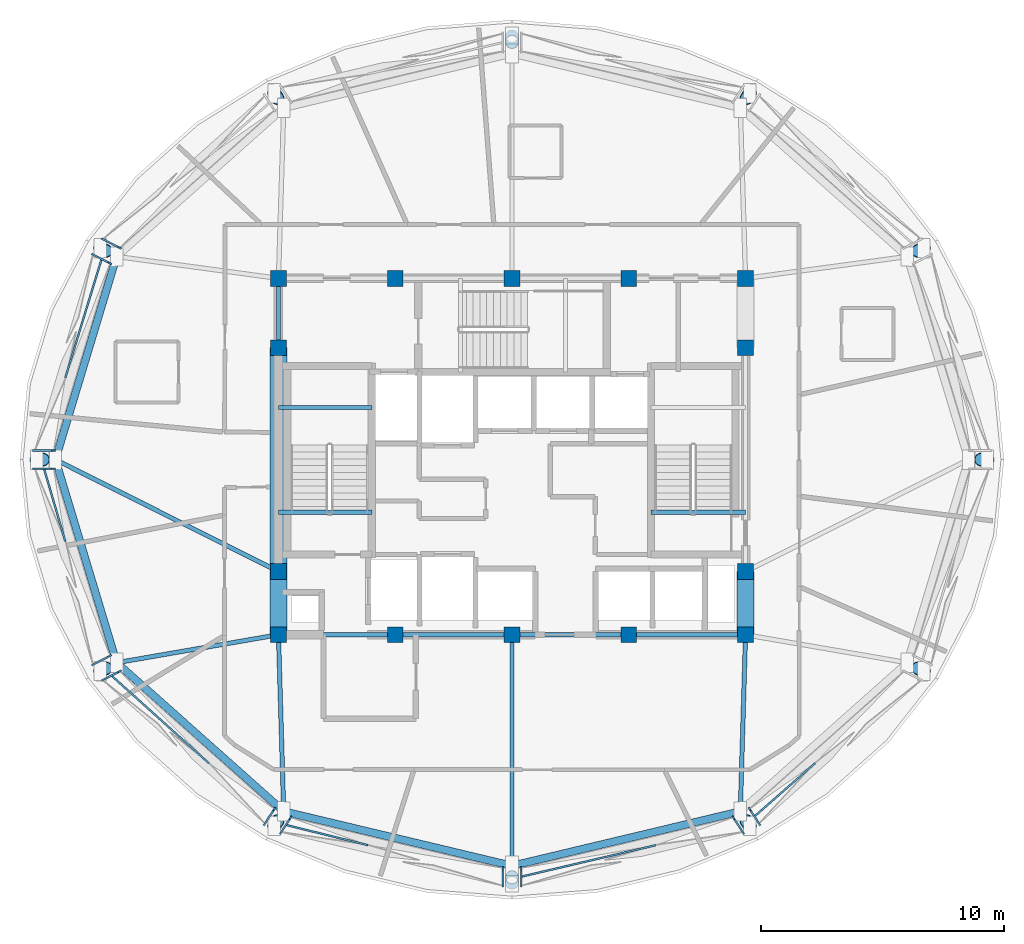
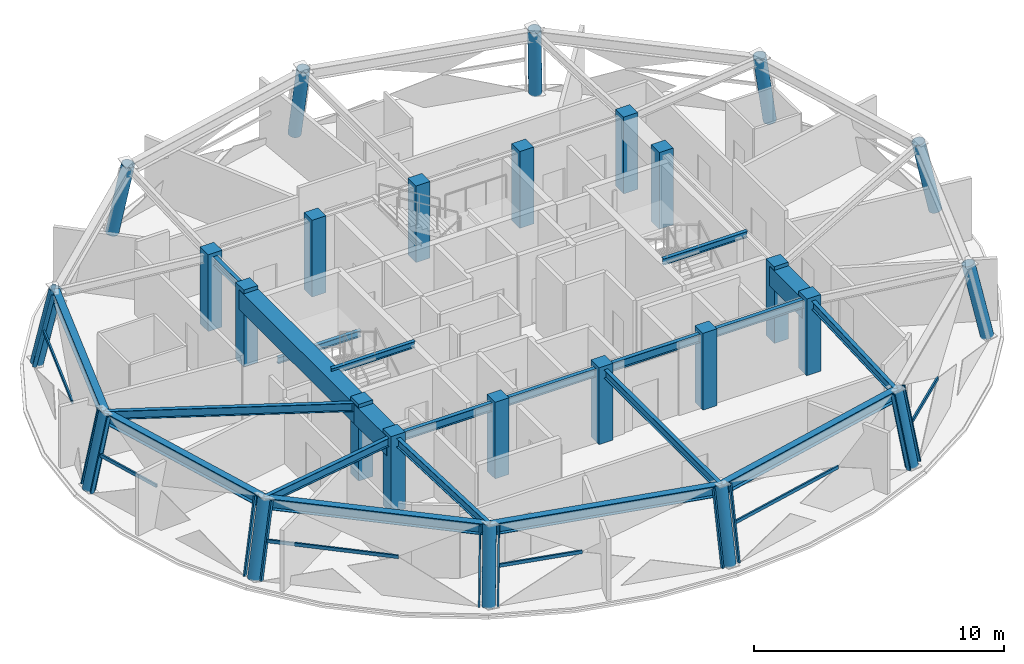
# One storey, part 1 of 11: 26 columns, 21 beams, 18 members, 7 elements without a shape of their own.
"""IFC4 building model written with IfcOpenShell, lengths in metres."""

from ifc_helpers import new_model, si_unit, direction, frame, origin, origin_2d, place, context, subcontext, project, spatial, rectangle, hollow_rectangle, hollow_circle, i_section, extrude, material, layer, layer_set, material_profile, profile_set, type_object, element, aggregate, save


model = new_model("IFC4")

# Units and contexts
model_context = context("Model", 3, precision=1e-05, world=origin(), true_north=direction((0.0, 1.0)))
body_context = subcontext(model_context, "Body", "Model", "MODEL_VIEW")
ifc_project = project(units=[si_unit("LENGTHUNIT", "METRE"), si_unit("AREAUNIT", "SQUARE_METRE"), si_unit("VOLUMEUNIT", "CUBIC_METRE"), si_unit("PLANEANGLEUNIT", "RADIAN"), si_unit("MASSUNIT", "GRAM", prefix="KILO")], contexts=[model_context])

# Site, building, storey
site_placement = place(None, origin())
site = spatial("IfcSite", under=ifc_project, at=site_placement, CompositionType="ELEMENT")
building_placement = place(site_placement, origin())
building = spatial("IfcBuilding", under=site, at=building_placement, Name="Vantalir Tower", CompositionType="ELEMENT")
storey_placement = place(building_placement, frame((0.0, 0.0, 278.85009765625)))
storey = spatial("IfcBuildingStorey", under=building, at=storey_placement, Name="L70", CompositionType="ELEMENT", Elevation=278.85009765625)

# Columns
ifc_material_1 = material(Name="Concrete C50/60", Category="concrete")
ifc_material_profile_1 = material_profile(ifc_material_1, rectangle(XDim=0.64990234375, YDim=0.64990234375, at=origin_2d()), Name="Concrete C50/60")
ifc_profile_set_1 = profile_set([ifc_material_profile_1], Name="Concrete C50/60")
column_type_1 = type_object("IfcColumnType", Name="COL-CC-650", PredefinedType="COLUMN", material=ifc_profile_set_1)
for number, where, z_axis, x_axis, name in (
    (1, (21.89990234375, 17.800048828125, 0.0), (0.0, 0.0, 1.0), (1.0, 0.0, 0.0), "L70 Core Column CC01"),
    (2, (26.699951171875, 17.800048828125, 0.0), (0.0, 0.0, 1.0), (1.0, 0.0, 0.0), "L70 Core Column CC02"),
    (3, (31.5, 17.800048828125, 0.0), (0.0, 0.0, 1.0), (1.0, 0.0, 0.0), "L70 Core Column CC03"),
    (4, (36.300048828125, 17.800048828125, 0.0), (0.0, 0.0, 1.0), (1.0, 0.0, 0.0), "L70 Core Column CC04"),
    (5, (41.10009765625, 17.800048828125, 0.0), (0.0, 0.0, 1.0), (1.0, 0.0, 0.0), "L70 Core Column CC05"),
    (6, (21.89990234375, 20.39990234375, 0.0), (0.0, 0.0, 1.0), (1.0, 0.0, 0.0), "L70 Core Column CC06"),
    (7, (21.89990234375, 29.60009765625, 0.0), (0.0, 0.0, 1.0), (1.0, 0.0, 0.0), "L70 Core Column CC07"),
    (8, (41.10009765625, 20.39990234375, 0.0), (0.0, 0.0, 1.0), (1.0, 0.0, 0.0), "L70 Core Column CC08"),
    (9, (41.10009765625, 29.60009765625, 0.0), (0.0, 0.0, 1.0), (1.0, 0.0, 0.0), "L70 Core Column CC09"),
    (10, (21.89990234375, 32.449951171875, 0.0), (0.0, 0.0, 1.0), (1.0, 0.0, 0.0), "L70 Core Column CC10"),
    (11, (26.699951171875, 32.449951171875, 0.0), (0.0, 0.0, 1.0), (1.0, 0.0, 0.0), "L70 Core Column CC11"),
    (12, (31.5, 32.449951171875, 0.0), (0.0, 0.0, 1.0), (1.0, 0.0, 0.0), "L70 Core Column CC12"),
    (13, (36.300048828125, 32.449951171875, 0.0), (0.0, 0.0, 1.0), (1.0, 0.0, 0.0), "L70 Core Column CC13"),
    (14, (41.10009765625, 32.449951171875, 0.0), (0.0, 0.0, 1.0), (1.0, 0.0, 0.0), "L70 Core Column CC14"),
):
    element("IfcColumn", number, at=place(storey_placement, frame(where, z_axis=z_axis, x_axis=x_axis)), inside=storey, type_object=column_type_1, Name=name, PredefinedType="COLUMN", context=body_context, shape_type="SweptSolid", body=[
        extrude(rectangle(XDim=0.64990234375, YDim=0.64990234375, at=origin_2d()), origin(), (0.0, 0.0, 1.0), 3.75),
    ])
ifc_material_2 = material(Name="Steel S460", Category="steel")
ifc_material_profile_2 = material_profile(ifc_material_2, hollow_circle(Radius=0.27490234375, WallThickness=0.02490234375, at=origin_2d()), Name="Steel S460")
ifc_profile_set_2 = profile_set([ifc_material_profile_2], Name="Steel S460")
column_type_2 = type_object("IfcColumnType", Name="COL-RC-550", PredefinedType="COLUMN", material=ifc_profile_set_2)
column_1_placement = place(storey_placement, frame((51.050048828125, 25.0, 0.0), z_axis=(-0.213469718958, 0.0, 0.97694968094), x_axis=(0.0, -1.0, 0.0)))
element("IfcColumn", 15, at=column_1_placement, inside=storey, type_object=column_type_2, Name="L70 Perimeter Ring Column RC01", PredefinedType="COLUMN", context=body_context, shape_type="SweptSolid", body=[
    extrude(hollow_circle(Radius=0.27490234375, WallThickness=0.02490234375, at=origin_2d()), origin(), (0.0, 0.0, 1.0), 3.654052734375),
])
column_2_placement = place(storey_placement, frame((48.430908203125, 33.697998046875, 0.0), z_axis=(-0.185218066702, -0.09531807333, 0.978063767177), x_axis=(0.457587432232, -0.889164631474, 0.0)))
element("IfcColumn", 16, at=column_2_placement, inside=storey, type_object=column_type_2, Name="L70 Perimeter Ring Column RC02", PredefinedType="COLUMN", context=body_context, shape_type="SweptSolid", body=[
    extrude(hollow_circle(Radius=0.27490234375, WallThickness=0.02490234375, at=origin_2d()), origin(), (0.0, 0.0, 1.0), 3.64990234375),
])
column_3_placement = place(storey_placement, frame((41.27490234375, 40.06494140625, 0.0), z_axis=(-0.107078897733, -0.165345373706, 0.980405537038), x_axis=(0.839360059296, -0.543575837265, 0.0)))
element("IfcColumn", 17, at=column_3_placement, inside=storey, type_object=column_type_2, Name="L70 Perimeter Ring Column RC03", PredefinedType="COLUMN", context=body_context, shape_type="SweptSolid", body=[
    extrude(hollow_circle(Radius=0.27490234375, WallThickness=0.02490234375, at=origin_2d()), origin(), (0.0, 0.0, 1.0), 3.64111328125),
])
column_4_placement = place(storey_placement, frame((31.5, 42.39599609375, 0.0), z_axis=(0.0, -0.191376297921, 0.981516740863), x_axis=(1.0, 0.0, 0.0)))
element("IfcColumn", 18, at=column_4_placement, inside=storey, type_object=column_type_2, Name="L70 Perimeter Ring Column RC04", PredefinedType="COLUMN", context=body_context, shape_type="SweptSolid", body=[
    extrude(hollow_circle(Radius=0.27490234375, WallThickness=0.02490234375, at=origin_2d()), origin(), (0.0, 0.0, 1.0), 3.636962890625),
])
column_5_placement = place(storey_placement, frame((21.72509765625, 40.06494140625, 0.0), z_axis=(0.107078897733, -0.165345373706, 0.980405537038), x_axis=(0.839360059296, 0.543575837265, 0.0)))
element("IfcColumn", 19, at=column_5_placement, inside=storey, type_object=column_type_2, Name="L70 Perimeter Ring Column RC05", PredefinedType="COLUMN", context=body_context, shape_type="SweptSolid", body=[
    extrude(hollow_circle(Radius=0.27490234375, WallThickness=0.02490234375, at=origin_2d()), origin(), (0.0, 0.0, 1.0), 3.64111328125),
])
column_6_placement = place(storey_placement, frame((14.569091796875, 33.697998046875, 0.0), z_axis=(0.185218066702, -0.09531807333, 0.978063767177), x_axis=(0.457587432232, 0.889164631474, 0.0)))
element("IfcColumn", 20, at=column_6_placement, inside=storey, type_object=column_type_2, Name="L70 Perimeter Ring Column RC06", PredefinedType="COLUMN", context=body_context, shape_type="SweptSolid", body=[
    extrude(hollow_circle(Radius=0.27490234375, WallThickness=0.02490234375, at=origin_2d()), origin(), (0.0, 0.0, 1.0), 3.64990234375),
])
column_7_placement = place(storey_placement, frame((11.949951171875, 25.0, 0.0), z_axis=(0.213469718958, 0.0, 0.97694968094), x_axis=(0.0, 1.0, 0.0)))
element("IfcColumn", 21, at=column_7_placement, inside=storey, type_object=column_type_2, Name="L70 Perimeter Ring Column RC07", PredefinedType="COLUMN", context=body_context, shape_type="SweptSolid", body=[
    extrude(hollow_circle(Radius=0.27490234375, WallThickness=0.02490234375, at=origin_2d()), origin(), (0.0, 0.0, 1.0), 3.654052734375),
])
column_8_placement = place(storey_placement, frame((14.569091796875, 16.302001953125, 0.0), z_axis=(0.185218066702, 0.09531807333, 0.978063767177), x_axis=(-0.457587432232, 0.889164631474, 0.0)))
element("IfcColumn", 22, at=column_8_placement, inside=storey, type_object=column_type_2, Name="L70 Perimeter Ring Column RC08", PredefinedType="COLUMN", context=body_context, shape_type="SweptSolid", body=[
    extrude(hollow_circle(Radius=0.27490234375, WallThickness=0.02490234375, at=origin_2d()), origin(), (0.0, 0.0, 1.0), 3.64990234375),
])
column_9_placement = place(storey_placement, frame((21.72509765625, 9.93505859375, 0.0), z_axis=(0.107078897733, 0.165345373706, 0.980405537038), x_axis=(-0.839360059296, 0.543575837265, 0.0)))
element("IfcColumn", 23, at=column_9_placement, inside=storey, type_object=column_type_2, Name="L70 Perimeter Ring Column RC09", PredefinedType="COLUMN", context=body_context, shape_type="SweptSolid", body=[
    extrude(hollow_circle(Radius=0.27490234375, WallThickness=0.02490234375, at=origin_2d()), origin(), (0.0, 0.0, 1.0), 3.64111328125),
])
column_10_placement = place(storey_placement, frame((31.5, 7.60400390625, 0.0), z_axis=(0.0, 0.191376297921, 0.981516740863), x_axis=(-1.0, 0.0, 0.0)))
element("IfcColumn", 24, at=column_10_placement, inside=storey, type_object=column_type_2, Name="L70 Perimeter Ring Column RC10", PredefinedType="COLUMN", context=body_context, shape_type="SweptSolid", body=[
    extrude(hollow_circle(Radius=0.27490234375, WallThickness=0.02490234375, at=origin_2d()), origin(), (0.0, 0.0, 1.0), 3.636962890625),
])
column_11_placement = place(storey_placement, frame((41.27490234375, 9.93505859375, 0.0), z_axis=(-0.107078897733, 0.165345373706, 0.980405537038), x_axis=(-0.839360059296, -0.543575837265, 0.0)))
element("IfcColumn", 25, at=column_11_placement, inside=storey, type_object=column_type_2, Name="L70 Perimeter Ring Column RC11", PredefinedType="COLUMN", context=body_context, shape_type="SweptSolid", body=[
    extrude(hollow_circle(Radius=0.27490234375, WallThickness=0.02490234375, at=origin_2d()), origin(), (0.0, 0.0, 1.0), 3.64111328125),
])
column_12_placement = place(storey_placement, frame((48.430908203125, 16.302001953125, 0.0), z_axis=(-0.185218066702, 0.09531807333, 0.978063767177), x_axis=(-0.457587432232, -0.889164631474, 0.0)))
element("IfcColumn", 26, at=column_12_placement, inside=storey, type_object=column_type_2, Name="L70 Perimeter Ring Column RC12", PredefinedType="COLUMN", context=body_context, shape_type="SweptSolid", body=[
    extrude(hollow_circle(Radius=0.27490234375, WallThickness=0.02490234375, at=origin_2d()), origin(), (0.0, 0.0, 1.0), 3.64990234375),
])

# Beams
ifc_material_3 = material(Name="Concrete C60/75", Category="concrete")
ifc_material_profile_3 = material_profile(ifc_material_3, rectangle(XDim=0.699951171875, YDim=0.949951171875, at=origin_2d()), Name="Concrete C60/75")
ifc_profile_set_3 = profile_set([ifc_material_profile_3], Name="Concrete C60/75")
beam_type_1 = type_object("IfcBeamType", Name="BM-CB-700x950", PredefinedType="USERDEFINED", material=ifc_profile_set_3)
beam_1_placement = place(storey_placement, frame((41.10009765625, 17.800048828125, 3.094970703125), z_axis=(0.0, 1.0, 0.0), x_axis=(-1.0, 0.0, 0.0)))
element("IfcBeam", 27, at=beam_1_placement, inside=storey, type_object=beam_type_1, Name="L70 Core Coupling Girder 05", ObjectType="GIRDER", PredefinedType="USERDEFINED", context=body_context, shape_type="SweptSolid", body=[
    extrude(rectangle(XDim=0.699951171875, YDim=0.949951171875, at=origin_2d()), origin(), (0.0, 0.0, 1.0), 2.599853515625),
])
beam_2_placement = place(storey_placement, frame((21.89990234375, 29.60009765625, 3.094970703125), z_axis=(0.0, -1.0, 0.0), x_axis=(1.0, 0.0, 0.0)))
element("IfcBeam", 28, at=beam_2_placement, inside=storey, type_object=beam_type_1, Name="L70 Core Coupling Girder 13", ObjectType="GIRDER", PredefinedType="USERDEFINED", context=body_context, shape_type="SweptSolid", body=[
    extrude(rectangle(XDim=0.699951171875, YDim=0.949951171875, at=origin_2d()), origin(), (0.0, 0.0, 1.0), 9.2001953125),
])
beam_3_placement = place(storey_placement, frame((21.89990234375, 20.39990234375, 3.094970703125), z_axis=(0.0, -1.0, 0.0), x_axis=(1.0, 0.0, 0.0)))
element("IfcBeam", 29, at=beam_3_placement, inside=storey, type_object=beam_type_1, Name="L70 Core Coupling Girder 14", ObjectType="GIRDER", PredefinedType="USERDEFINED", context=body_context, shape_type="SweptSolid", body=[
    extrude(rectangle(XDim=0.699951171875, YDim=0.949951171875, at=origin_2d()), origin(), (0.0, 0.0, 1.0), 2.599853515625),
])
ifc_material_4 = material(Name="Steel S355", Category="steel")
ifc_material_profile_4 = material_profile(ifc_material_4, i_section(OverallWidth=0.166015625, OverallDepth=0.306884765625, WebThickness=0.006591796875, FlangeThickness=0.01171875, at=origin_2d()), Name="Steel S355")
ifc_profile_set_4 = profile_set([ifc_material_profile_4], Name="Steel S355")
beam_type_2 = type_object("IfcBeamType", Name="BM-JS-305x165", PredefinedType="JOIST", material=ifc_profile_set_4)
for number, where, z_axis, x_axis, name in (
    (30, (21.89990234375, 22.8349609375, 3.595947265625), (1.0, 0.0, 0.0), (0.0, 1.0, 0.0), "L71 Stair ST1 Well Nosing Trimmer Beam"),
    (31, (21.89990234375, 27.14501953125, 1.52099609375), (1.0, 0.0, 0.0), (0.0, 1.0, 0.0), "L70 Stair ST1 Half-Landing Support Beam"),
):
    element("IfcBeam", number, at=place(storey_placement, frame(where, z_axis=z_axis, x_axis=x_axis)), inside=storey, type_object=beam_type_2, Name=name, PredefinedType="JOIST", context=body_context, shape_type="SweptSolid", body=[
        extrude(i_section(OverallWidth=0.166015625, OverallDepth=0.306884765625, WebThickness=0.006591796875, FlangeThickness=0.01171875, at=origin_2d()), origin(), (0.0, 0.0, 1.0), 3.840087890625),
    ])
beam_4_placement = place(storey_placement, frame((37.2099609375, 22.8349609375, 3.595947265625), z_axis=(1.0, 0.0, 0.0), x_axis=(0.0, 1.0, 0.0)))
element("IfcBeam", 32, at=beam_4_placement, inside=storey, type_object=beam_type_2, Name="L71 Stair ST2 Well Nosing Trimmer Beam", PredefinedType="JOIST", context=body_context, shape_type="SweptSolid", body=[
    extrude(i_section(OverallWidth=0.166015625, OverallDepth=0.306884765625, WebThickness=0.006591796875, FlangeThickness=0.01171875, at=origin_2d()), origin(), (0.0, 0.0, 1.0), 3.89013671875),
])
ifc_material_profile_5 = material_profile(ifc_material_4, i_section(OverallWidth=0.179931640625, OverallDepth=0.4130859375, WebThickness=0.009521484375, FlangeThickness=0.01611328125, at=origin_2d()), Name="Steel S355")
ifc_profile_set_5 = profile_set([ifc_material_profile_5], Name="Steel S355")
beam_type_3 = type_object("IfcBeamType", Name="BM-RB-406x178", PredefinedType="BEAM", material=ifc_profile_set_5)
for number, where, z_axis, x_axis, name in (
    (33, (21.89990234375, 17.800048828125, 3.364013671875), (1.0, 0.0, 0.0), (0.0, 1.0, 0.0), "L70 Core Coupling Girder 01"),
    (34, (26.699951171875, 17.800048828125, 3.364013671875), (1.0, 0.0, 0.0), (0.0, 1.0, 0.0), "L70 Core Coupling Girder 02"),
    (35, (31.5, 17.800048828125, 3.364013671875), (1.0, 0.0, 0.0), (0.0, 1.0, 0.0), "L70 Core Coupling Girder 03"),
    (36, (36.300048828125, 17.800048828125, 3.364013671875), (1.0, 0.0, 0.0), (0.0, 1.0, 0.0), "L70 Core Coupling Girder 04"),
):
    element("IfcBeam", number, at=place(storey_placement, frame(where, z_axis=z_axis, x_axis=x_axis)), inside=storey, type_object=beam_type_3, Name=name, PredefinedType="BEAM", context=body_context, shape_type="SweptSolid", body=[
        extrude(i_section(OverallWidth=0.179931640625, OverallDepth=0.4130859375, WebThickness=0.009521484375, FlangeThickness=0.01611328125, at=origin_2d()), origin(), (0.0, 0.0, 1.0), 4.800048828125),
    ])
beam_5_placement = place(storey_placement, frame((21.89990234375, 32.449951171875, 3.364013671875), z_axis=(0.0, -1.0, 0.0), x_axis=(1.0, 0.0, 0.0)))
element("IfcBeam", 37, at=beam_5_placement, inside=storey, type_object=beam_type_3, Name="L70 Core Coupling Girder 12", PredefinedType="BEAM", context=body_context, shape_type="SweptSolid", body=[
    extrude(i_section(OverallWidth=0.179931640625, OverallDepth=0.4130859375, WebThickness=0.009521484375, FlangeThickness=0.01611328125, at=origin_2d()), origin(), (0.0, 0.0, 1.0), 2.849853515625),
])
beam_6_placement = place(storey_placement, frame((12.72998046875, 25.0, 3.364013671875), z_axis=(0.893836232743, -0.448393564892, 0.0), x_axis=(0.448393564892, 0.893836232743, 0.0)))
element("IfcBeam", 38, at=beam_6_placement, inside=storey, type_object=beam_type_3, Name="L70 Radial Floor Beam 07", PredefinedType="BEAM", context=body_context, shape_type="SweptSolid", body=[
    extrude(i_section(OverallWidth=0.179931640625, OverallDepth=0.4130859375, WebThickness=0.009521484375, FlangeThickness=0.01611328125, at=origin_2d()), origin(), (0.0, 0.0, 1.0), 10.259033203125),
])
beam_7_placement = place(storey_placement, frame((15.2451171875, 16.64990234375, 3.364013671875), z_axis=(0.985391365935, 0.170305184714, 0.0), x_axis=(-0.170305184714, 0.985391365935, 0.0)))
element("IfcBeam", 39, at=beam_7_placement, inside=storey, type_object=beam_type_3, Name="L70 Radial Floor Beam 08", PredefinedType="BEAM", context=body_context, shape_type="SweptSolid", body=[
    extrude(i_section(OverallWidth=0.179931640625, OverallDepth=0.4130859375, WebThickness=0.009521484375, FlangeThickness=0.01611328125, at=origin_2d()), origin(), (0.0, 0.0, 1.0), 6.75341796875),
])
beam_8_placement = place(storey_placement, frame((22.114990234375, 10.537109375, 3.364013671875), z_axis=(-0.029601463201, 0.99956178067, 0.0), x_axis=(-0.99956178067, -0.029601463201, 0.0)))
element("IfcBeam", 40, at=beam_8_placement, inside=storey, type_object=beam_type_3, Name="L70 Radial Floor Beam 09", PredefinedType="BEAM", context=body_context, shape_type="SweptSolid", body=[
    extrude(i_section(OverallWidth=0.179931640625, OverallDepth=0.4130859375, WebThickness=0.009521484375, FlangeThickness=0.01611328125, at=origin_2d()), origin(), (0.0, 0.0, 1.0), 7.26611328125),
])
beam_9_placement = place(storey_placement, frame((31.5, 8.300048828125, 3.364013671875), z_axis=(0.0, 1.0, 0.0), x_axis=(-1.0, 0.0, 0.0)))
element("IfcBeam", 41, at=beam_9_placement, inside=storey, type_object=beam_type_3, Name="L70 Radial Floor Beam 10", PredefinedType="BEAM", context=body_context, shape_type="SweptSolid", body=[
    extrude(i_section(OverallWidth=0.179931640625, OverallDepth=0.4130859375, WebThickness=0.009521484375, FlangeThickness=0.01611328125, at=origin_2d()), origin(), (0.0, 0.0, 1.0), 9.5),
])
beam_10_placement = place(storey_placement, frame((40.885009765625, 10.537109375, 3.364013671875), z_axis=(0.029601463201, 0.99956178067, 0.0), x_axis=(-0.99956178067, 0.029601463201, 0.0)))
element("IfcBeam", 42, at=beam_10_placement, inside=storey, type_object=beam_type_3, Name="L70 Radial Floor Beam 11", PredefinedType="BEAM", context=body_context, shape_type="SweptSolid", body=[
    extrude(i_section(OverallWidth=0.179931640625, OverallDepth=0.4130859375, WebThickness=0.009521484375, FlangeThickness=0.01611328125, at=origin_2d()), origin(), (0.0, 0.0, 1.0), 7.26611328125),
])
ifc_material_profile_6 = material_profile(ifc_material_2, i_section(OverallWidth=0.31201171875, OverallDepth=0.5419921875, WebThickness=0.0126953125, FlangeThickness=0.020263671875, at=origin_2d()), Name="Steel S460")
ifc_profile_set_6 = profile_set([ifc_material_profile_6], Name="Steel S460")
beam_type_4 = type_object("IfcBeamType", Name="BM-RG-533x312", PredefinedType="USERDEFINED", material=ifc_profile_set_6)
for number, where, z_axis, x_axis, name in (
    (43, (15.2451171875, 33.35009765625, 3.298828125), (-0.288411028939, -0.957506698873, 0.0), (0.957506698873, -0.288411028939, 0.0), "L70 Circumferential Ring Girder 06"),
    (44, (12.72998046875, 25.0, 3.298828125), (0.288411028939, -0.957506698873, 0.0), (0.957506698873, 0.288411028939, 0.0), "L70 Circumferential Ring Girder 07"),
):
    element("IfcBeam", number, at=place(storey_placement, frame(where, z_axis=z_axis, x_axis=x_axis)), inside=storey, type_object=beam_type_4, Name=name, ObjectType="GIRDER", PredefinedType="USERDEFINED", context=body_context, shape_type="SweptSolid", body=[
        extrude(i_section(OverallWidth=0.31201171875, OverallDepth=0.5419921875, WebThickness=0.0126953125, FlangeThickness=0.020263671875, at=origin_2d()), origin(), (0.0, 0.0, 1.0), 8.720703125),
    ])
beam_11_placement = place(storey_placement, frame((15.2451171875, 16.64990234375, 3.298828125), z_axis=(0.747072320414, -0.664742768348, 0.0), x_axis=(0.664742768348, 0.747072320414, 0.0)))
element("IfcBeam", 45, at=beam_11_placement, inside=storey, type_object=beam_type_4, Name="L70 Circumferential Ring Girder 08", ObjectType="GIRDER", PredefinedType="USERDEFINED", context=body_context, shape_type="SweptSolid", body=[
    extrude(i_section(OverallWidth=0.31201171875, OverallDepth=0.5419921875, WebThickness=0.0126953125, FlangeThickness=0.020263671875, at=origin_2d()), origin(), (0.0, 0.0, 1.0), 9.19580078125),
])
for number, where, z_axis, x_axis, name in (
    (46, (22.114990234375, 10.537109375, 3.298828125), (0.972746993267, -0.23186911629, 0.0), (0.23186911629, 0.972746993267, 0.0), "L70 Circumferential Ring Girder 09"),
    (47, (31.5, 8.300048828125, 3.298828125), (0.972746993267, 0.23186911629, 0.0), (-0.23186911629, 0.972746993267, 0.0), "L70 Circumferential Ring Girder 10"),
):
    element("IfcBeam", number, at=place(storey_placement, frame(where, z_axis=z_axis, x_axis=x_axis)), inside=storey, type_object=beam_type_4, Name=name, ObjectType="GIRDER", PredefinedType="USERDEFINED", context=body_context, shape_type="SweptSolid", body=[
        extrude(i_section(OverallWidth=0.31201171875, OverallDepth=0.5419921875, WebThickness=0.0126953125, FlangeThickness=0.020263671875, at=origin_2d()), origin(), (0.0, 0.0, 1.0), 9.64794921875),
    ])

# Curtain wall, member
ifc_material_5 = material(Name="Champagne-silver PVDF aluminium and double-silver Low-E glass", Category="aluminium")
ifc_layer = layer(ifc_material_5, 0.219970703125)
ifc_layer_set = layer_set([ifc_layer], Name="Champagne-silver PVDF aluminium and double-silver Low-E glass")
curtain_wall_type = type_object("IfcCurtainWallType", Name="CW-DIAMOND-Z4", PredefinedType="USERDEFINED", material=ifc_layer_set)
curtain_wall_1_placement = place(storey_placement, origin())
curtain_wall_1 = element("IfcCurtainWall", 48, at=curtain_wall_1_placement, inside=storey, type_object=curtain_wall_type, Name="L70 Quilted Pyramid-Diamond Curtain Wall S05", ObjectType="UNITISED CURTAIN WALL", PredefinedType="USERDEFINED")
ifc_material_6 = material(Name="Champagne-silver PVDF aluminium 6063-T6", Category="aluminium")
ifc_material_profile_7 = material_profile(ifc_material_6, hollow_rectangle(XDim=0.070068359375, YDim=0.1650390625, WallThickness=0.00390625, at=origin_2d()), Name="Champagne-silver PVDF aluminium 6063-T6")
ifc_profile_set_7 = profile_set([ifc_material_profile_7], Name="Champagne-silver PVDF aluminium 6063-T6")
member_type_1 = type_object("IfcMemberType", Name="CWM-165x70", PredefinedType="MULLION", material=ifc_profile_set_7)
member_1_placement = place(storey_placement, frame((14.696044921875, 34.052001953125, 0.044921875), z_axis=(0.189520369582, -0.09767324653, 0.977006635815), x_axis=(0.458110557784, 0.888895222648, 0.0)))
member_1 = element("IfcMember", 49, at=member_1_placement, type_object=member_type_1, Name="CW-L70-S05 Mullion 2", PredefinedType="MULLION", context=body_context, shape_type="SweptSolid", body=[
    extrude(hollow_rectangle(XDim=0.070068359375, YDim=0.1650390625, WallThickness=0.00390625, at=origin_2d()), origin(), (0.0, 0.0, 1.0), 3.561767578125),
])
aggregate(curtain_wall_1, [member_1])

# Curtain wall, members
curtain_wall_2_placement = place(storey_placement, origin())
curtain_wall_2 = element("IfcCurtainWall", 50, at=curtain_wall_2_placement, inside=storey, type_object=curtain_wall_type, Name="L70 Quilted Pyramid-Diamond Curtain Wall S06", ObjectType="UNITISED CURTAIN WALL", PredefinedType="USERDEFINED")
member_2_placement = place(storey_placement, frame((14.29296875, 33.419921875, 0.044921875), z_axis=(0.189520369582, -0.09767324653, 0.977006635815), x_axis=(0.458110557784, 0.888895222648, 0.0)))
member_2 = element("IfcMember", 51, at=member_2_placement, type_object=member_type_1, Name="CW-L70-S06 Mullion 1", PredefinedType="MULLION", context=body_context, shape_type="SweptSolid", body=[
    extrude(hollow_rectangle(XDim=0.070068359375, YDim=0.1650390625, WallThickness=0.00390625, at=origin_2d()), origin(), (0.0, 0.0, 1.0), 3.561767578125),
])
member_3_placement = place(storey_placement, frame((11.8720703125, 25.373046875, 0.044921875), z_axis=(0.218720447595, 0.0, 0.975787561821), x_axis=(0.0, 1.0, 0.0)))
member_3 = element("IfcMember", 52, at=member_3_placement, type_object=member_type_1, Name="CW-L70-S06 Mullion 2", PredefinedType="MULLION", context=body_context, shape_type="SweptSolid", body=[
    extrude(hollow_rectangle(XDim=0.070068359375, YDim=0.1650390625, WallThickness=0.00390625, at=origin_2d()), origin(), (0.0, 0.0, 1.0), 3.56640625),
])

curtain_wall_3_placement = place(storey_placement, origin())
curtain_wall_3 = element("IfcCurtainWall", 53, at=curtain_wall_3_placement, inside=storey, type_object=curtain_wall_type, Name="L70 Quilted Pyramid-Diamond Curtain Wall S07", ObjectType="UNITISED CURTAIN WALL", PredefinedType="USERDEFINED")
member_4_placement = place(storey_placement, frame((11.8720703125, 24.626953125, 0.044921875), z_axis=(0.218720447595, 0.0, 0.975787561821), x_axis=(0.0, 1.0, 0.0)))
member_4 = element("IfcMember", 54, at=member_4_placement, type_object=member_type_1, Name="CW-L70-S07 Mullion 1", PredefinedType="MULLION", context=body_context, shape_type="SweptSolid", body=[
    extrude(hollow_rectangle(XDim=0.070068359375, YDim=0.1650390625, WallThickness=0.00390625, at=origin_2d()), origin(), (0.0, 0.0, 1.0), 3.56640625),
])
member_5_placement = place(storey_placement, frame((14.29296875, 16.580078125, 0.044921875), z_axis=(0.189520369582, 0.09767324653, 0.977006635815), x_axis=(-0.458110557784, 0.888895222648, 0.0)))
member_5 = element("IfcMember", 55, at=member_5_placement, type_object=member_type_1, Name="CW-L70-S07 Mullion 2", PredefinedType="MULLION", context=body_context, shape_type="SweptSolid", body=[
    extrude(hollow_rectangle(XDim=0.070068359375, YDim=0.1650390625, WallThickness=0.00390625, at=origin_2d()), origin(), (0.0, 0.0, 1.0), 3.561767578125),
])

curtain_wall_4_placement = place(storey_placement, origin())
curtain_wall_4 = element("IfcCurtainWall", 56, at=curtain_wall_4_placement, inside=storey, type_object=curtain_wall_type, Name="L70 Quilted Pyramid-Diamond Curtain Wall S08", ObjectType="UNITISED CURTAIN WALL", PredefinedType="USERDEFINED")
member_6_placement = place(storey_placement, frame((14.696044921875, 15.947998046875, 0.044921875), z_axis=(0.189520369582, 0.09767324653, 0.977006635815), x_axis=(-0.458110557784, 0.888895222648, 0.0)))
member_6 = element("IfcMember", 57, at=member_6_placement, type_object=member_type_1, Name="CW-L70-S08 Mullion 1", PredefinedType="MULLION", context=body_context, shape_type="SweptSolid", body=[
    extrude(hollow_rectangle(XDim=0.070068359375, YDim=0.1650390625, WallThickness=0.00390625, at=origin_2d()), origin(), (0.0, 0.0, 1.0), 3.561767578125),
])
member_7_placement = place(storey_placement, frame((21.339111328125, 10.029052734375, 0.044921875), z_axis=(0.109726976538, 0.169709224828, 0.979366514451), x_axis=(-0.83976165719, 0.542955209123, 0.0)))
member_7 = element("IfcMember", 58, at=member_7_placement, type_object=member_type_1, Name="CW-L70-S08 Mullion 2", PredefinedType="MULLION", context=body_context, shape_type="SweptSolid", body=[
    extrude(hollow_rectangle(XDim=0.070068359375, YDim=0.1650390625, WallThickness=0.00390625, at=origin_2d()), origin(), (0.0, 0.0, 1.0), 3.55322265625),
])

curtain_wall_5_placement = place(storey_placement, origin())
curtain_wall_5 = element("IfcCurtainWall", 59, at=curtain_wall_5_placement, inside=storey, type_object=curtain_wall_type, Name="L70 Quilted Pyramid-Diamond Curtain Wall S09", ObjectType="UNITISED CURTAIN WALL", PredefinedType="USERDEFINED")
member_8_placement = place(storey_placement, frame((22.009033203125, 9.678955078125, 0.044921875), z_axis=(0.109726976538, 0.169709224828, 0.979366514451), x_axis=(-0.83976165719, 0.542955209123, 0.0)))
member_8 = element("IfcMember", 60, at=member_8_placement, type_object=member_type_1, Name="CW-L70-S09 Mullion 1", PredefinedType="MULLION", context=body_context, shape_type="SweptSolid", body=[
    extrude(hollow_rectangle(XDim=0.070068359375, YDim=0.1650390625, WallThickness=0.00390625, at=origin_2d()), origin(), (0.0, 0.0, 1.0), 3.55322265625),
])
member_9_placement = place(storey_placement, frame((31.12109375, 7.5048828125, 0.044921875), z_axis=(0.0, 0.196129364579, 0.98057802971), x_axis=(-1.0, 0.0, 0.0)))
member_9 = element("IfcMember", 61, at=member_9_placement, type_object=member_type_1, Name="CW-L70-S09 Mullion 2", PredefinedType="MULLION", context=body_context, shape_type="SweptSolid", body=[
    extrude(hollow_rectangle(XDim=0.070068359375, YDim=0.1650390625, WallThickness=0.00390625, at=origin_2d()), origin(), (0.0, 0.0, 1.0), 3.548828125),
])

curtain_wall_6_placement = place(storey_placement, origin())
curtain_wall_6 = element("IfcCurtainWall", 62, at=curtain_wall_6_placement, inside=storey, type_object=curtain_wall_type, Name="L70 Quilted Pyramid-Diamond Curtain Wall S10", ObjectType="UNITISED CURTAIN WALL", PredefinedType="USERDEFINED")
member_10_placement = place(storey_placement, frame((31.87890625, 7.5048828125, 0.044921875), z_axis=(0.0, 0.196129364579, 0.98057802971), x_axis=(-1.0, 0.0, 0.0)))
member_10 = element("IfcMember", 63, at=member_10_placement, type_object=member_type_1, Name="CW-L70-S10 Mullion 1", PredefinedType="MULLION", context=body_context, shape_type="SweptSolid", body=[
    extrude(hollow_rectangle(XDim=0.070068359375, YDim=0.1650390625, WallThickness=0.00390625, at=origin_2d()), origin(), (0.0, 0.0, 1.0), 3.548828125),
])
member_11_placement = place(storey_placement, frame((40.990966796875, 9.678955078125, 0.044921875), z_axis=(-0.109726976538, 0.169709224828, 0.979366514451), x_axis=(-0.83976165719, -0.542955209123, 0.0)))
member_11 = element("IfcMember", 64, at=member_11_placement, type_object=member_type_1, Name="CW-L70-S10 Mullion 2", PredefinedType="MULLION", context=body_context, shape_type="SweptSolid", body=[
    extrude(hollow_rectangle(XDim=0.070068359375, YDim=0.1650390625, WallThickness=0.00390625, at=origin_2d()), origin(), (0.0, 0.0, 1.0), 3.55322265625),
])

# Curtain wall, member
curtain_wall_7_placement = place(storey_placement, origin())
curtain_wall_7 = element("IfcCurtainWall", 65, at=curtain_wall_7_placement, inside=storey, type_object=curtain_wall_type, Name="L70 Quilted Pyramid-Diamond Curtain Wall S11", ObjectType="UNITISED CURTAIN WALL", PredefinedType="USERDEFINED")
member_12_placement = place(storey_placement, frame((41.660888671875, 10.029052734375, 0.044921875), z_axis=(-0.109726976538, 0.169709224828, 0.979366514451), x_axis=(-0.83976165719, -0.542955209123, 0.0)))
member_12 = element("IfcMember", 66, at=member_12_placement, type_object=member_type_1, Name="CW-L70-S11 Mullion 1", PredefinedType="MULLION", context=body_context, shape_type="SweptSolid", body=[
    extrude(hollow_rectangle(XDim=0.070068359375, YDim=0.1650390625, WallThickness=0.00390625, at=origin_2d()), origin(), (0.0, 0.0, 1.0), 3.55322265625),
])

# Member
ifc_material_profile_8 = material_profile(ifc_material_6, hollow_rectangle(XDim=0.074951171875, YDim=0.159912109375, WallThickness=0.00390625, at=origin_2d()), Name="Champagne-silver PVDF aluminium 6063-T6")
ifc_profile_set_8 = profile_set([ifc_material_profile_8], Name="Champagne-silver PVDF aluminium 6063-T6")
member_type_2 = type_object("IfcMemberType", Name="CWT-160x75", PredefinedType="USERDEFINED", material=ifc_profile_set_8)
member_13_placement = place(storey_placement, frame((14.6298828125, 33.24609375, 1.784912109375), z_axis=(-0.292346233181, -0.956312543024, 0.0), x_axis=(0.956312543024, -0.292346233181, 0.0)))
member_13 = element("IfcMember", 67, at=member_13_placement, type_object=member_type_2, Name="CW-L70-S06 Pyramid Fold Ridge Transom", ObjectType="TRANSOM", PredefinedType="USERDEFINED", context=body_context, shape_type="SweptSolid", body=[
    extrude(hollow_rectangle(XDim=0.074951171875, YDim=0.159912109375, WallThickness=0.00390625, at=origin_2d()), origin(), (0.0, 0.0, 1.0), 5.10009765625),
])

aggregate(curtain_wall_2, [member_2, member_3, member_13])

member_14_placement = place(storey_placement, frame((12.261962890625, 24.626953125, 1.784912109375), z_axis=(0.280933894461, -0.959727121083, 0.0), x_axis=(0.959727121083, 0.280933894461, 0.0)))
member_14 = element("IfcMember", 68, at=member_14_placement, type_object=member_type_2, Name="CW-L70-S07 Pyramid Fold Ridge Transom", ObjectType="TRANSOM", PredefinedType="USERDEFINED", context=body_context, shape_type="SweptSolid", body=[
    extrude(hollow_rectangle(XDim=0.074951171875, YDim=0.159912109375, WallThickness=0.00390625, at=origin_2d()), origin(), (0.0, 0.0, 1.0), 3.12158203125),
])

aggregate(curtain_wall_3, [member_4, member_5, member_14])

member_15_placement = place(storey_placement, frame((15.033935546875, 16.1220703125, 1.784912109375), z_axis=(0.743635964772, -0.668584738008, 0.0), x_axis=(0.668584738008, 0.743635964772, 0.0)))
member_15 = element("IfcMember", 69, at=member_15_placement, type_object=member_type_2, Name="CW-L70-S08 Pyramid Fold Ridge Transom", ObjectType="TRANSOM", PredefinedType="USERDEFINED", context=body_context, shape_type="SweptSolid", body=[
    extrude(hollow_rectangle(XDim=0.074951171875, YDim=0.159912109375, WallThickness=0.00390625, at=origin_2d()), origin(), (0.0, 0.0, 1.0), 5.396728515625),
])

aggregate(curtain_wall_4, [member_6, member_7, member_15])

member_16_placement = place(storey_placement, frame((22.2041015625, 9.98095703125, 1.784912109375), z_axis=(0.971075959194, -0.238770771821, 0.0), x_axis=(0.238770771821, 0.971075959194, 0.0)))
member_16 = element("IfcMember", 70, at=member_16_placement, type_object=member_type_2, Name="CW-L70-S09 Pyramid Fold Ridge Transom", ObjectType="TRANSOM", PredefinedType="USERDEFINED", context=body_context, shape_type="SweptSolid", body=[
    extrude(hollow_rectangle(XDim=0.074951171875, YDim=0.159912109375, WallThickness=0.00390625, at=origin_2d()), origin(), (0.0, 0.0, 1.0), 3.48046875),
])

aggregate(curtain_wall_5, [member_8, member_9, member_16])

member_17_placement = place(storey_placement, frame((31.87890625, 7.85302734375, 1.784912109375), z_axis=(0.973650873835, 0.228043802549, 0.0), x_axis=(-0.228043802549, 0.973650873835, 0.0)))
member_17 = element("IfcMember", 71, at=member_17_placement, type_object=member_type_2, Name="CW-L70-S10 Pyramid Fold Ridge Transom", ObjectType="TRANSOM", PredefinedType="USERDEFINED", context=body_context, shape_type="SweptSolid", body=[
    extrude(hollow_rectangle(XDim=0.074951171875, YDim=0.159912109375, WallThickness=0.00390625, at=origin_2d()), origin(), (0.0, 0.0, 1.0), 5.68701171875),
])

aggregate(curtain_wall_6, [member_10, member_11, member_17])

member_18_placement = place(storey_placement, frame((41.466064453125, 10.3310546875, 1.784912109375), z_axis=(0.751542821683, 0.659684308724, 0.0), x_axis=(-0.659684308724, 0.751542821683, 0.0)))
member_18 = element("IfcMember", 72, at=member_18_placement, type_object=member_type_2, Name="CW-L70-S11 Pyramid Fold Ridge Transom", ObjectType="TRANSOM", PredefinedType="USERDEFINED", context=body_context, shape_type="SweptSolid", body=[
    extrude(hollow_rectangle(XDim=0.074951171875, YDim=0.159912109375, WallThickness=0.00390625, at=origin_2d()), origin(), (0.0, 0.0, 1.0), 3.308837890625),
])

aggregate(curtain_wall_7, [member_12, member_18])

save(model, "model.ifc")
